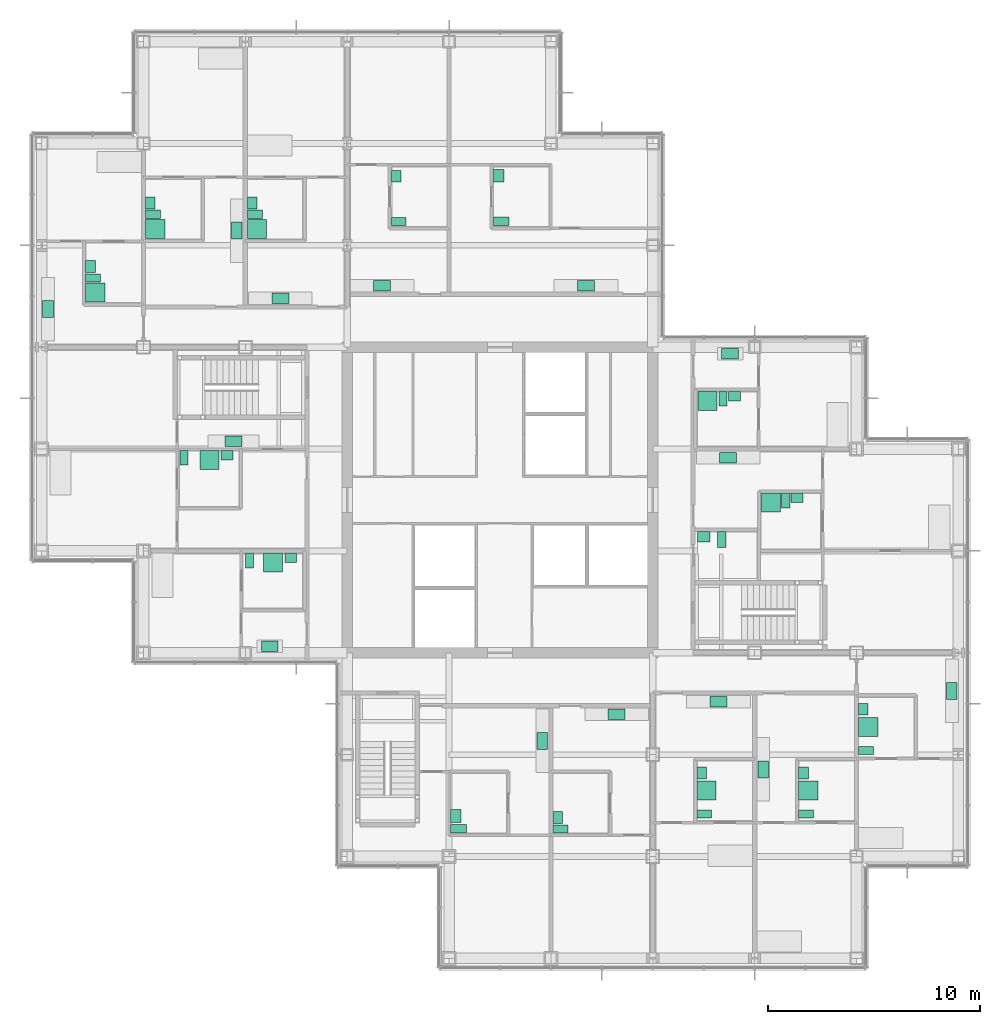
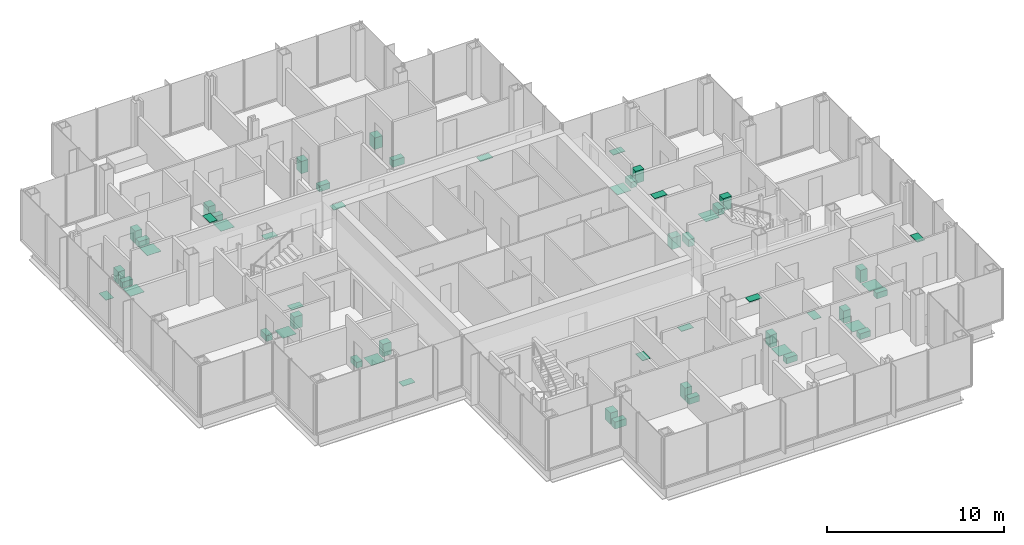
# One storey, part 19 of 20: 54 sanitary terminals.
"""IFC4 building model written with IfcOpenShell, lengths in metres."""

from ifc_helpers import new_model, si_unit, direction, frame, origin, origin_2d, place, context, subcontext, project, spatial, rectangle, extrude, material, type_object, element, save


model = new_model("IFC4")

# Units and contexts
model_context = context("Model", 3, precision=1e-05, world=origin(), true_north=direction((0.0, 1.0)))
body_context = subcontext(model_context, "Body", "Model", "MODEL_VIEW")
ifc_project = project(units=[si_unit("LENGTHUNIT", "METRE"), si_unit("AREAUNIT", "SQUARE_METRE"), si_unit("VOLUMEUNIT", "CUBIC_METRE"), si_unit("PLANEANGLEUNIT", "RADIAN"), si_unit("MASSUNIT", "GRAM", prefix="KILO")], contexts=[model_context])

# Site, building, storey
site_placement = place(None, origin())
site = spatial("IfcSite", under=ifc_project, at=site_placement, CompositionType="ELEMENT")
building_placement = place(site_placement, origin())
building = spatial("IfcBuilding", under=site, at=building_placement, Name="Kvirike Care Tower", CompositionType="ELEMENT")
storey_placement = place(building_placement, frame((0.0, 0.0, 105.0)))
storey = spatial("IfcBuildingStorey", under=building, at=storey_placement, Name="L28", CompositionType="ELEMENT", Elevation=105.0)

# Sanitary terminals
ifc_material_1 = material(Name="Vitreous china", Category="ceramic")
sanitary_terminal_type_1 = type_object("IfcSanitaryTerminalType", Name="ACCESSIBLE WASH BASIN 600 x 500", PredefinedType="WASHHANDBASIN", material=ifc_material_1)
for number, where, z_axis, x_axis, name in (
    (1, (19.511962890625, 21.110107421875, 0.02001953125), (0.0, 0.0, 1.0), (0.0, 1.0, 0.0), "Accessible wash basin L28-024"),
    (2, (21.527099609375, 51.27490234375, 0.02001953125), (0.0, 0.0, 1.0), (0.0, 1.0, 0.0), "Accessible wash basin L28-031"),
    (3, (31.199951171875, 34.27294921875, 0.02001953125), (0.0, 0.0, 1.0), (1.0, 0.0, 0.0), "Accessible wash basin L28-050"),
):
    element("IfcSanitaryTerminal", number, at=place(storey_placement, frame(where, z_axis=z_axis, x_axis=x_axis)), inside=storey, type_object=sanitary_terminal_type_1, Name=name, PredefinedType="WASHHANDBASIN", context=body_context, shape_type="SweptSolid", body=[
        extrude(rectangle(XDim=0.60009765625, YDim=0.5, at=origin_2d()), origin(), (0.0, 0.0, 1.0), 0.800048828125),
    ])
ifc_material_2 = material(Name="Vitreous china", Category="ceramic")
sanitary_terminal_type_2 = type_object("IfcSanitaryTerminalType", Name="ACCESSIBLE WC PAN 400 x 750", PredefinedType="TOILETPAN", material=ifc_material_2)
for number, where, z_axis, x_axis, name in (
    (4, (19.636962890625, 20.510009765625, 0.02001953125), (0.0, 0.0, 1.0), (0.0, 1.0, 0.0), "Accessible WC pan L28-024"),
    (5, (21.652099609375, 49.125, 0.02001953125), (0.0, 0.0, 1.0), (0.0, 1.0, 0.0), "Accessible WC pan L28-031"),
    (6, (32.050048828125, 34.14794921875, 0.02001953125), (0.0, 0.0, 1.0), (1.0, 0.0, 0.0), "Accessible WC pan L28-050"),
):
    element("IfcSanitaryTerminal", number, at=place(storey_placement, frame(where, z_axis=z_axis, x_axis=x_axis)), inside=storey, type_object=sanitary_terminal_type_2, Name=name, PredefinedType="TOILETPAN", context=body_context, shape_type="SweptSolid", body=[
        extrude(rectangle(XDim=0.39990234375, YDim=0.75, at=origin_2d()), origin(), (0.0, 0.0, 1.0), 0.47998046875),
    ])
ifc_material_3 = material(Name="Stainless steel", Category="steel")
sanitary_terminal_type_3 = type_object("IfcSanitaryTerminalType", Name="KITCHEN SINK 800 x 500", PredefinedType="SINK", material=ifc_material_3)
for number, where, z_axis, x_axis, name in (
    (7, (9.050048828125, 38.761962890625, 0.89990234375), (0.0, 0.0, 1.0), (-1.0, 0.0, 0.0), "Kitchen sink L28-006"),
    (8, (10.75, 29.10205078125, 0.89990234375), (0.0, 0.0, 1.0), (-1.0, 0.0, 0.0), "Kitchen sink L28-010"),
    (9, (11.25, 45.501953125, 0.89990234375), (0.0, 0.0, 1.0), (-1.0, 0.0, 0.0), "Kitchen sink L28-014"),
    (10, (9.197998046875, 48.68994140625, 0.89990234375), (0.0, 0.0, 1.0), (0.0, -1.0, 0.0), "Kitchen sink L28-017"),
    (11, (0.302001953125, 44.9970703125, 0.89990234375), (0.0, 0.0, 1.0), (0.0, 1.0, 0.0), "Kitchen sink L28-020"),
    (12, (23.597900390625, 24.64990234375, 0.89990234375), (0.0, 0.0, 1.0), (0.0, -1.0, 0.0), "Kitchen sink L28-025"),
    (13, (27.10009765625, 25.89794921875, 0.89990234375), (0.0, 0.0, 1.0), (1.0, 0.0, 0.0), "Kitchen sink L28-028"),
    (14, (25.64990234375, 46.10205078125, 0.89990234375), (0.0, 0.0, 1.0), (-1.0, 0.0, 0.0), "Kitchen sink L28-032"),
    (15, (16.050048828125, 46.10205078125, 0.89990234375), (0.0, 0.0, 1.0), (-1.0, 0.0, 0.0), "Kitchen sink L28-035"),
    (16, (31.89990234375, 26.498046875, 0.89990234375), (0.0, 0.0, 1.0), (1.0, 0.0, 0.0), "Kitchen sink L28-039"),
    (17, (34.001953125, 23.31005859375, 0.89990234375), (0.0, 0.0, 1.0), (0.0, 1.0, 0.0), "Kitchen sink L28-042"),
    (18, (42.89794921875, 27.0029296875, 0.89990234375), (0.0, 0.0, 1.0), (0.0, -1.0, 0.0), "Kitchen sink L28-045"),
    (19, (32.35009765625, 37.998046875, 0.89990234375), (0.0, 0.0, 1.0), (1.0, 0.0, 0.0), "Kitchen sink L28-052"),
    (20, (32.449951171875, 42.89794921875, 0.89990234375), (0.0, 0.0, 1.0), (1.0, 0.0, 0.0), "Kitchen sink L28-055"),
):
    element("IfcSanitaryTerminal", number, at=place(storey_placement, frame(where, z_axis=z_axis, x_axis=x_axis)), inside=storey, type_object=sanitary_terminal_type_3, Name=name, PredefinedType="SINK", context=body_context, shape_type="SweptSolid", body=[
        extrude(rectangle(XDim=0.800048828125, YDim=0.5, at=origin_2d()), origin(), (0.0, 0.0, 1.0), 0.030029296875),
    ])
ifc_material_4 = material(Name="Stainless steel", Category="steel")
sanitary_terminal_type_4 = type_object("IfcSanitaryTerminalType", Name="LEVEL-ACCESS SHOWER 900 x 900", PredefinedType="SHOWER", material=ifc_material_4)
for number, where, z_axis, x_axis, name in (
    (21, (7.909912109375, 37.887939453125, 0.02001953125), (0.0, 0.0, 1.0), (1.0, 0.0, 0.0), "Level-access shower L28-005"),
    (22, (10.909912109375, 33.048095703125, 0.02001953125), (0.0, 0.0, 1.0), (1.0, 0.0, 0.0), "Level-access shower L28-009"),
    (23, (10.152099609375, 48.77490234375, 0.02001953125), (0.0, 0.0, 1.0), (0.0, 1.0, 0.0), "Level-access shower L28-013"),
    (24, (5.35205078125, 48.77490234375, 0.02001953125), (0.0, 0.0, 1.0), (0.0, 1.0, 0.0), "Level-access shower L28-016"),
    (25, (2.527099609375, 45.77490234375, 0.02001953125), (0.0, 0.0, 1.0), (0.0, 1.0, 0.0), "Level-access shower L28-019"),
    (26, (31.326904296875, 22.31005859375, 0.02001953125), (0.0, 0.0, 1.0), (0.0, 1.0, 0.0), "Level-access shower L28-038"),
    (27, (36.126953125, 22.31005859375, 0.02001953125), (0.0, 0.0, 1.0), (0.0, 1.0, 0.0), "Level-access shower L28-041"),
    (28, (38.951904296875, 25.31005859375, 0.02001953125), (0.0, 0.0, 1.0), (0.0, 1.0, 0.0), "Level-access shower L28-044"),
    (29, (34.375, 35.873046875, 0.02001953125), (0.0, 0.0, 1.0), (1.0, 0.0, 0.0), "Level-access shower L28-051"),
    (30, (31.375, 40.673095703125, 0.02001953125), (0.0, 0.0, 1.0), (1.0, 0.0, 0.0), "Level-access shower L28-054"),
):
    element("IfcSanitaryTerminal", number, at=place(storey_placement, frame(where, z_axis=z_axis, x_axis=x_axis)), inside=storey, type_object=sanitary_terminal_type_4, Name=name, PredefinedType="SHOWER", context=body_context, shape_type="SweptSolid", body=[
        extrude(rectangle(XDim=0.89990234375, YDim=0.89990234375, at=origin_2d()), origin(), (0.0, 0.0, 1.0), 0.02001953125),
    ])
ifc_material_5 = material(Name="Vitreous china", Category="ceramic")
sanitary_terminal_type_5 = type_object("IfcSanitaryTerminalType", Name="WASH BASIN 550 x 450", PredefinedType="WASHHANDBASIN", material=ifc_material_5)
for number, where, z_axis, x_axis, name in (
    (31, (8.735107421875, 38.113037109375, 0.02001953125), (0.0, 0.0, 1.0), (1.0, 0.0, 0.0), "Wash basin L28-005"),
    (32, (11.735107421875, 33.27294921875, 0.02001953125), (0.0, 0.0, 1.0), (1.0, 0.0, 0.0), "Wash basin L28-009"),
    (33, (9.927001953125, 50.0, 0.02001953125), (0.0, 0.0, 1.0), (0.0, 1.0, 0.0), "Wash basin L28-013"),
    (34, (5.126953125, 50.0, 0.02001953125), (0.0, 0.0, 1.0), (0.0, 1.0, 0.0), "Wash basin L28-016"),
    (35, (2.302001953125, 47.0, 0.02001953125), (0.0, 0.0, 1.0), (0.0, 1.0, 0.0), "Wash basin L28-019"),
    (36, (24.326904296875, 21.034912109375, 0.02001953125), (0.0, 0.0, 1.0), (0.0, 1.0, 0.0), "Wash basin L28-027"),
    (37, (16.701904296875, 51.25, 0.02001953125), (0.0, 0.0, 1.0), (0.0, 1.0, 0.0), "Wash basin L28-034"),
    (38, (31.10205078125, 23.135009765625, 0.02001953125), (0.0, 0.0, 1.0), (0.0, 1.0, 0.0), "Wash basin L28-038"),
    (39, (35.902099609375, 23.135009765625, 0.02001953125), (0.0, 0.0, 1.0), (0.0, 1.0, 0.0), "Wash basin L28-041"),
    (40, (38.72705078125, 26.135009765625, 0.02001953125), (0.0, 0.0, 1.0), (0.0, 1.0, 0.0), "Wash basin L28-044"),
    (41, (35.60009765625, 36.097900390625, 0.02001953125), (0.0, 0.0, 1.0), (1.0, 0.0, 0.0), "Wash basin L28-051"),
    (42, (32.64990234375, 40.89794921875, 0.02001953125), (0.0, 0.0, 1.0), (1.0, 0.0, 0.0), "Wash basin L28-054"),
):
    element("IfcSanitaryTerminal", number, at=place(storey_placement, frame(where, z_axis=z_axis, x_axis=x_axis)), inside=storey, type_object=sanitary_terminal_type_5, Name=name, PredefinedType="WASHHANDBASIN", context=body_context, shape_type="SweptSolid", body=[
        extrude(rectangle(XDim=0.550048828125, YDim=0.449951171875, at=origin_2d()), origin(), (0.0, 0.0, 1.0), 0.85009765625),
    ])
ifc_material_6 = material(Name="Vitreous china", Category="ceramic")
sanitary_terminal_type_6 = type_object("IfcSanitaryTerminalType", Name="WC PAN 380 x 700", PredefinedType="TOILETPAN", material=ifc_material_6)
for number, where, z_axis, x_axis, name in (
    (43, (6.699951171875, 37.988037109375, 0.02001953125), (0.0, 0.0, 1.0), (1.0, 0.0, 0.0), "WC pan L28-005"),
    (44, (9.800048828125, 33.14794921875, 0.02001953125), (0.0, 0.0, 1.0), (1.0, 0.0, 0.0), "WC pan L28-009"),
    (45, (10.052001953125, 49.465087890625, 0.02001953125), (0.0, 0.0, 1.0), (0.0, 1.0, 0.0), "WC pan L28-013"),
    (46, (5.251953125, 49.465087890625, 0.02001953125), (0.0, 0.0, 1.0), (0.0, 1.0, 0.0), "WC pan L28-016"),
    (47, (2.427001953125, 46.465087890625, 0.02001953125), (0.0, 0.0, 1.0), (0.0, 1.0, 0.0), "WC pan L28-019"),
    (48, (24.451904296875, 20.5, 0.02001953125), (0.0, 0.0, 1.0), (0.0, 1.0, 0.0), "WC pan L28-027"),
    (49, (16.826904296875, 49.114990234375, 0.02001953125), (0.0, 0.0, 1.0), (0.0, 1.0, 0.0), "WC pan L28-034"),
    (50, (31.22705078125, 21.199951171875, 0.02001953125), (0.0, 0.0, 1.0), (0.0, 1.0, 0.0), "WC pan L28-038"),
    (51, (36.027099609375, 21.199951171875, 0.02001953125), (0.0, 0.0, 1.0), (0.0, 1.0, 0.0), "WC pan L28-041"),
    (52, (38.85205078125, 24.199951171875, 0.02001953125), (0.0, 0.0, 1.0), (0.0, 1.0, 0.0), "WC pan L28-044"),
    (53, (35.06494140625, 35.972900390625, 0.02001953125), (0.0, 0.0, 1.0), (1.0, 0.0, 0.0), "WC pan L28-051"),
    (54, (32.114990234375, 40.77294921875, 0.02001953125), (0.0, 0.0, 1.0), (1.0, 0.0, 0.0), "WC pan L28-054"),
):
    element("IfcSanitaryTerminal", number, at=place(storey_placement, frame(where, z_axis=z_axis, x_axis=x_axis)), inside=storey, type_object=sanitary_terminal_type_6, Name=name, PredefinedType="TOILETPAN", context=body_context, shape_type="SweptSolid", body=[
        extrude(rectangle(XDim=0.3798828125, YDim=0.699951171875, at=origin_2d()), origin(), (0.0, 0.0, 1.0), 0.39990234375),
    ])

save(model, "model.ifc")
